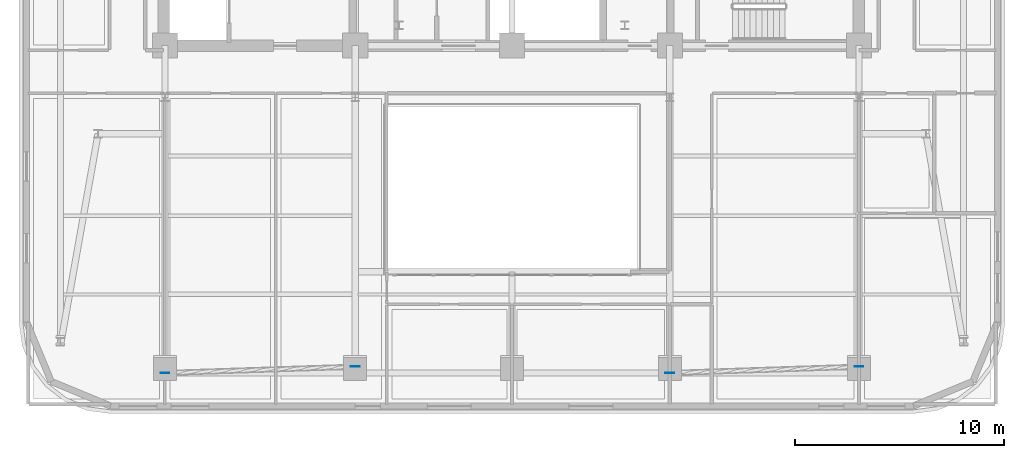
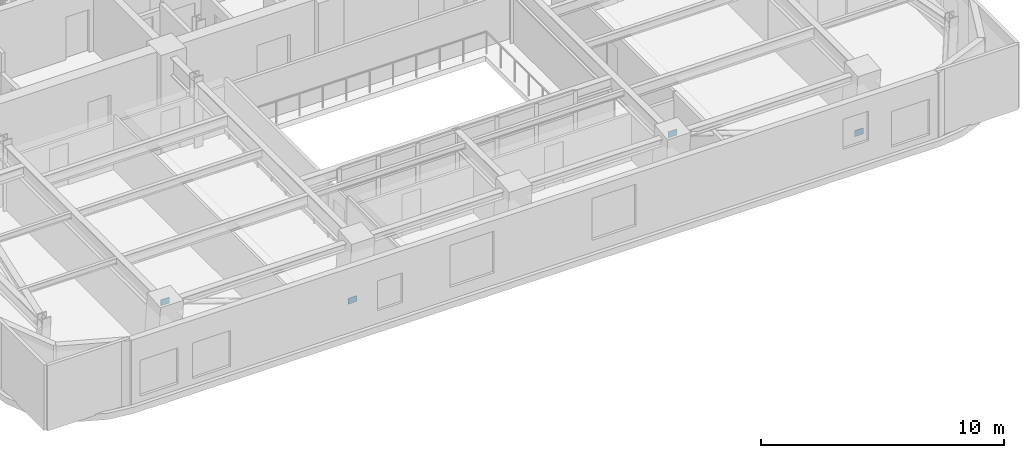
# One storey, part 4 of 11: 4 plates.
"""IFC4 building model written with IfcOpenShell, lengths in metres."""

from ifc_helpers import new_model, si_unit, direction, frame, origin, origin_2d, place, context, subcontext, project, spatial, rectangle, extrude, material, layer, layer_set, type_object, element, save


model = new_model("IFC4")

# Units and contexts
model_context = context("Model", 3, precision=1e-05, world=origin(), true_north=direction((0.0, 1.0)))
body_context = subcontext(model_context, "Body", "Model", "MODEL_VIEW")
ifc_project = project(units=[si_unit("LENGTHUNIT", "METRE"), si_unit("AREAUNIT", "SQUARE_METRE"), si_unit("VOLUMEUNIT", "CUBIC_METRE"), si_unit("PLANEANGLEUNIT", "RADIAN"), si_unit("MASSUNIT", "GRAM", prefix="KILO")], contexts=[model_context])

# Site, building, storey
site_placement = place(None, origin())
site = spatial("IfcSite", under=ifc_project, at=site_placement, CompositionType="ELEMENT")
building_placement = place(site_placement, origin())
building = spatial("IfcBuilding", under=site, at=building_placement, Name="Zarnavel Station Tower", CompositionType="ELEMENT")
storey_placement = place(building_placement, frame((0.0, 0.0, 151.89990234375)))
storey = spatial("IfcBuildingStorey", under=building, at=storey_placement, Name="L41", CompositionType="ELEMENT", Elevation=151.89990234375)

# Plates
ifc_material = material(Name="Steel S460M", Category="steel")
ifc_layer = layer(ifc_material, 0.02490234375)
ifc_layer_set = layer_set([ifc_layer], Name="GP_GUSSET_25")
plate_type = type_object("IfcPlateType", Name="GP_GUSSET_25", PredefinedType="USERDEFINED", material=ifc_layer_set)
for number, where, z_axis, x_axis, name in (
    (1, (21.300048828125, 12.462890625, -0.14990234375), (0.0, 0.0, 1.0), (1.0, 0.0, 0.0), "L41 Exterior Diagonal Brace End Gusset 1-1"),
    (2, (12.199951171875, 12.164794921875, 3.14013671875), (0.0, 0.0, 1.0), (1.0, 0.0, 0.0), "L41 Exterior Diagonal Brace End Gusset 1-2"),
    (3, (45.39990234375, 12.462890625, -0.14990234375), (0.0, 0.0, 1.0), (1.0, 0.0, 0.0), "L41 Exterior Diagonal Brace End Gusset 2-1"),
    (4, (36.35009765625, 12.164794921875, 3.14013671875), (0.0, 0.0, 1.0), (1.0, 0.0, 0.0), "L41 Exterior Diagonal Brace End Gusset 2-2"),
):
    element("IfcPlate", number, at=place(storey_placement, frame(where, z_axis=z_axis, x_axis=x_axis)), inside=storey, type_object=plate_type, Name=name, ObjectType="GUSSET_PLATE", PredefinedType="USERDEFINED", context=body_context, shape_type="SweptSolid", body=[
        extrude(rectangle(XDim=0.419921875, YDim=0.02490234375, at=origin_2d()), origin(), (0.0, 0.0, 1.0), 0.300048828125),
    ])

save(model, "model.ifc")
